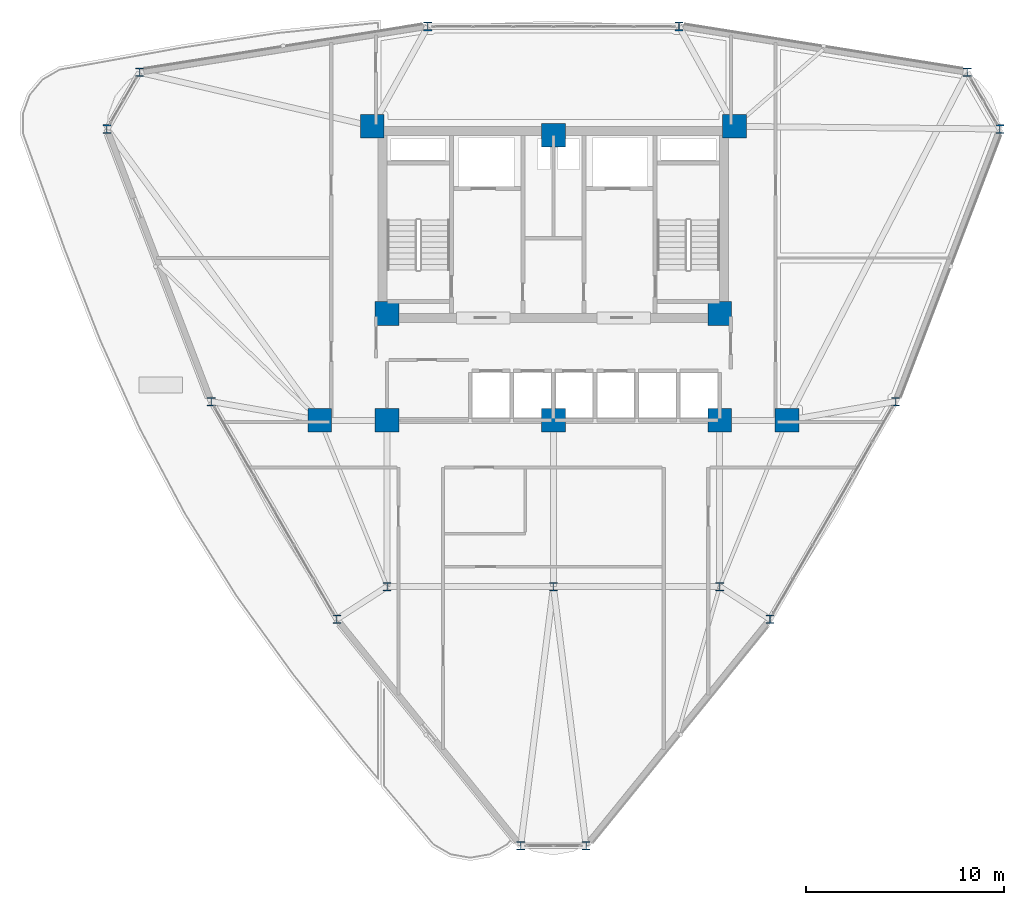
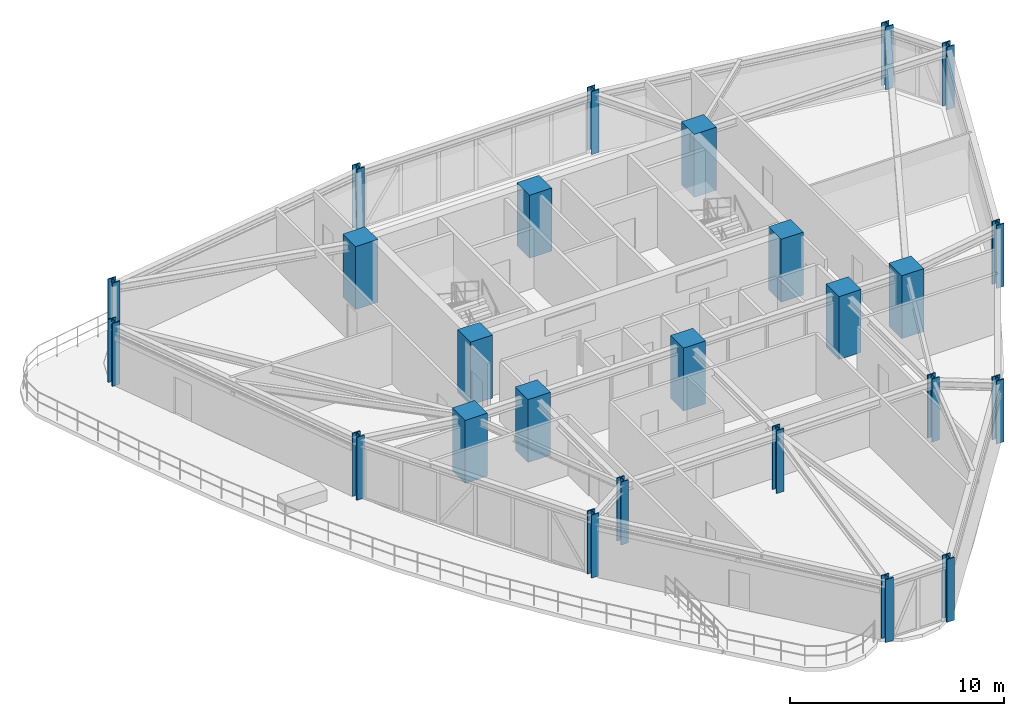
# One storey, part 1 of 18: 25 columns.
"""IFC4 building model written with IfcOpenShell, lengths in metres."""

from ifc_helpers import new_model, si_unit, derived_unit, direction, frame, origin, origin_2d, place, context, subcontext, project, spatial, rectangle, i_section, extrude, source, transform, mapped, material, material_profile, profile_set, type_object, element, save


model = new_model("IFC4")

# Units and contexts
model_context = context("Model", 3, precision=1e-05, world=origin(), true_north=direction((0.0, 1.0)))
body_context = subcontext(model_context, "Body", "Model", "MODEL_VIEW")
ifc_project = project(units=[si_unit("LENGTHUNIT", "METRE"), si_unit("AREAUNIT", "SQUARE_METRE"), si_unit("VOLUMEUNIT", "CUBIC_METRE"), si_unit("PLANEANGLEUNIT", "RADIAN"), si_unit("MASSUNIT", "GRAM", prefix="KILO"), derived_unit("THERMALTRANSMITTANCEUNIT", [(si_unit("POWERUNIT", "WATT"), 1), (si_unit("LENGTHUNIT", "METRE"), -2), (si_unit("THERMODYNAMICTEMPERATUREUNIT", "KELVIN"), -1)])], contexts=[model_context])

# Site, building, storey
site_placement = place(None, origin())
site = spatial("IfcSite", under=ifc_project, at=site_placement, CompositionType="ELEMENT")
building_placement = place(site_placement, origin())
building = spatial("IfcBuilding", under=site, at=building_placement, Name="Korsvarv Bourse and Concert Hall", CompositionType="ELEMENT")
storey_placement = place(building_placement, frame((0.0, 0.0, 168.60009765625)))
storey = spatial("IfcBuildingStorey", under=building, at=storey_placement, Name="L43", CompositionType="ELEMENT", Elevation=168.60009765625)

# Columns
ifc_material_1 = material(Name="Concrete C60/75", Category="concrete")
ifc_material_profile_1 = material_profile(ifc_material_1, rectangle(XDim=1.199951171875, YDim=1.199951171875, at=origin_2d()), Name="RC 1200x1200")
ifc_profile_set_1 = profile_set([ifc_material_profile_1], Name="Concrete C60/75")
column_type_1 = type_object("IfcColumnType", Name="COL-RC1200", PredefinedType="COLUMN", material=ifc_profile_set_1)
shared_shape_1 = source(origin(), body_context, "Body", "SweptSolid", [
    extrude(rectangle(XDim=1.199951171875, YDim=1.199951171875, at=origin_2d()), origin(), (0.0, 0.0, 1.0), 3.599853515625),
])
for number, where, z_axis, x_axis, name in (
    (1, (26.85009765625, 47.25, 0.0), (0.0, 0.0, 1.0), (1.0, 0.0, 0.0), "L43 column C-02"),
    (2, (45.14990234375, 47.25, 0.0), (0.0, 0.0, 1.0), (1.0, 0.0, 0.0), "L43 column C-02"),
    (3, (27.60009765625, 37.800048828125, 0.0), (0.0, 0.0, 1.0), (1.0, 0.0, 0.0), "L43 column C-02"),
    (4, (44.39990234375, 37.800048828125, 0.0), (0.0, 0.0, 1.0), (1.0, 0.0, 0.0), "L43 column C-02"),
    (5, (27.60009765625, 32.39990234375, 0.0), (0.0, 0.0, 1.0), (1.0, 0.0, 0.0), "L43 column C-02"),
    (6, (44.39990234375, 32.39990234375, 0.0), (0.0, 0.0, 1.0), (1.0, 0.0, 0.0), "L43 column C-02"),
    (7, (36.0, 46.800048828125, 0.0), (0.0, 0.0, 1.0), (1.0, 0.0, 0.0), "L43 column C-02"),
    (8, (36.0, 32.39990234375, 0.0), (0.0, 0.0, 1.0), (1.0, 0.0, 0.0), "L43 column C-02"),
    (9, (24.199951171875, 32.39990234375, 0.0), (0.0, 0.0, 1.0), (1.0, 0.0, 0.0), "L43 column C-02"),
    (10, (47.800048828125, 32.39990234375, 0.0), (0.0, 0.0, 1.0), (1.0, 0.0, 0.0), "L43 column C-02"),
):
    element("IfcColumn", number, at=place(storey_placement, frame(where, z_axis=z_axis, x_axis=x_axis)), inside=storey, type_object=column_type_1, Name=name, PredefinedType="COLUMN", context=body_context, shape_type="MappedRepresentation", body=[
        mapped(shared_shape_1, transform((0.0, 0.0, 0.0), scale=1.0)),
    ])
ifc_material_2 = material(Name="Steel S355", Category="steel")
ifc_material_profile_2 = material_profile(ifc_material_2, i_section(OverallWidth=0.412109375, OverallDepth=0.43505859375, WebThickness=0.032958984375, FlangeThickness=0.052978515625, FilletRadius=0.014892578125, at=origin_2d()), Name="HD 400x463")
ifc_profile_set_2 = profile_set([ifc_material_profile_2], Name="Steel S355")
column_type_2 = type_object("IfcColumnType", Name="COL-HD463", PredefinedType="COLUMN", material=ifc_profile_set_2)
shared_shape_2 = source(origin(), body_context, "Body", "SweptSolid", [
    extrude(i_section(OverallWidth=0.412109375, OverallDepth=0.43505859375, WebThickness=0.032958984375, FlangeThickness=0.052978515625, FilletRadius=0.014892578125, at=origin_2d()), origin(), (0.0, 0.0, 1.0), 3.599853515625),
])
for number, where, z_axis, x_axis, name in (
    (11, (27.60009765625, 24.0, 0.0), (0.0, 0.0, 1.0), (1.0, 0.0, 0.0), "L43 column C-09"),
    (12, (44.39990234375, 24.0, 0.0), (0.0, 0.0, 1.0), (1.0, 0.0, 0.0), "L43 column C-09"),
    (13, (36.0, 24.0, 0.0), (0.0, 0.0, 1.0), (1.0, 0.0, 0.0), "L43 column C-09"),
    (14, (58.553955078125, 47.114501953125, 0.0), (0.0, 0.0, 1.0), (1.0, 0.0, 0.0), "L43 column C-09"),
    (15, (56.90234375, 49.97509765625, 0.0), (0.0, 0.0, 1.0), (1.0, 0.0, 0.0), "L43 column C-09"),
    (16, (42.345947265625, 52.2958984375, 0.0), (0.0, 0.0, 1.0), (1.0, 0.0, 0.0), "L43 column C-09"),
    (17, (29.654052734375, 52.2958984375, 0.0), (0.0, 0.0, 1.0), (1.0, 0.0, 0.0), "L43 column C-09"),
    (18, (15.09765625, 49.97509765625, 0.0), (0.0, 0.0, 1.0), (1.0, 0.0, 0.0), "L43 column C-09"),
    (19, (13.446044921875, 47.114501953125, 0.0), (0.0, 0.0, 1.0), (1.0, 0.0, 0.0), "L43 column C-09"),
    (20, (18.71435546875, 33.347900390625, 0.0), (0.0, 0.0, 1.0), (1.0, 0.0, 0.0), "L43 column C-09"),
    (21, (25.060302734375, 22.356201171875, 0.0), (0.0, 0.0, 1.0), (1.0, 0.0, 0.0), "L43 column C-09"),
    (22, (34.348388671875, 10.91064453125, 0.0), (0.0, 0.0, 1.0), (1.0, 0.0, 0.0), "L43 column C-09"),
    (23, (37.651611328125, 10.91064453125, 0.0), (0.0, 0.0, 1.0), (1.0, 0.0, 0.0), "L43 column C-09"),
    (24, (46.939697265625, 22.356201171875, 0.0), (0.0, 0.0, 1.0), (1.0, 0.0, 0.0), "L43 column C-09"),
    (25, (53.28564453125, 33.347900390625, 0.0), (0.0, 0.0, 1.0), (1.0, 0.0, 0.0), "L43 column C-09"),
):
    element("IfcColumn", number, at=place(storey_placement, frame(where, z_axis=z_axis, x_axis=x_axis)), inside=storey, type_object=column_type_2, Name=name, PredefinedType="COLUMN", context=body_context, shape_type="MappedRepresentation", body=[
        mapped(shared_shape_2, transform((0.0, 0.0, 0.0), scale=1.0)),
    ])

save(model, "model.ifc")
